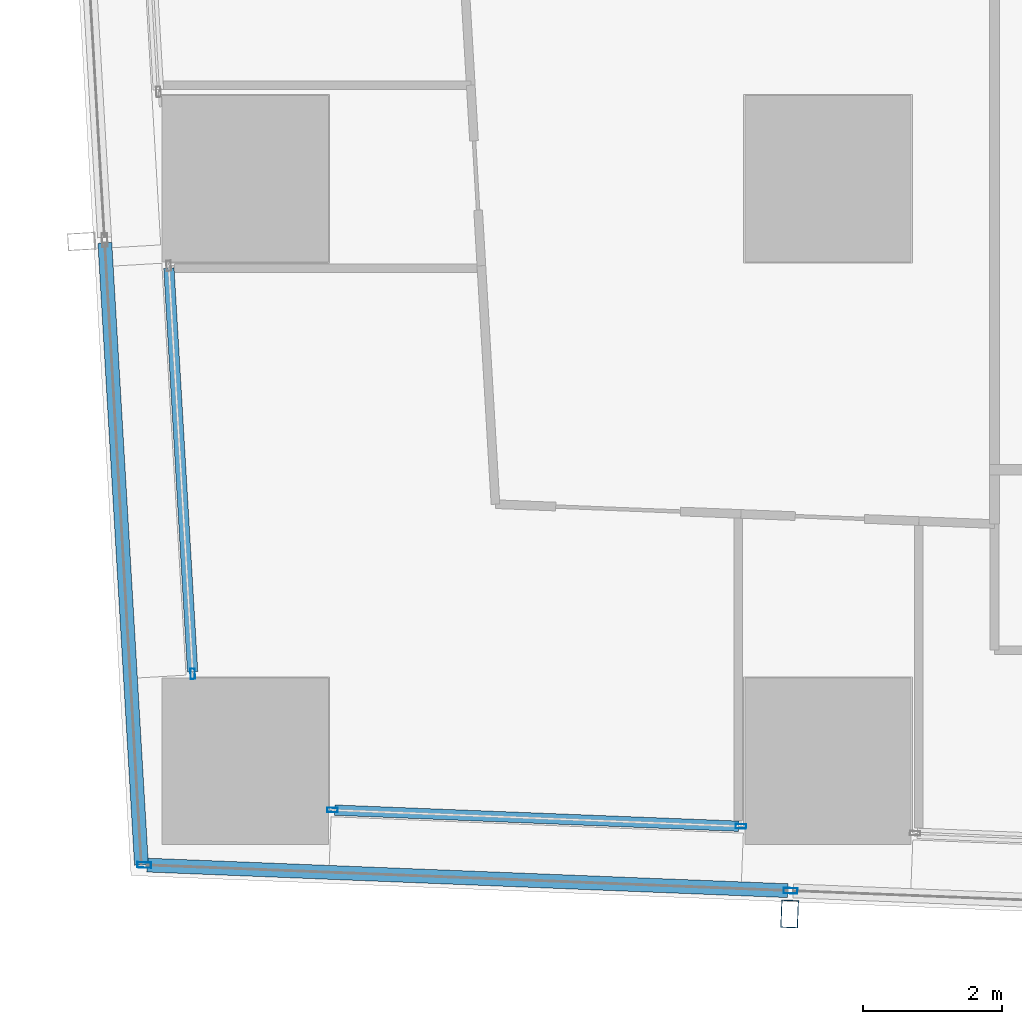
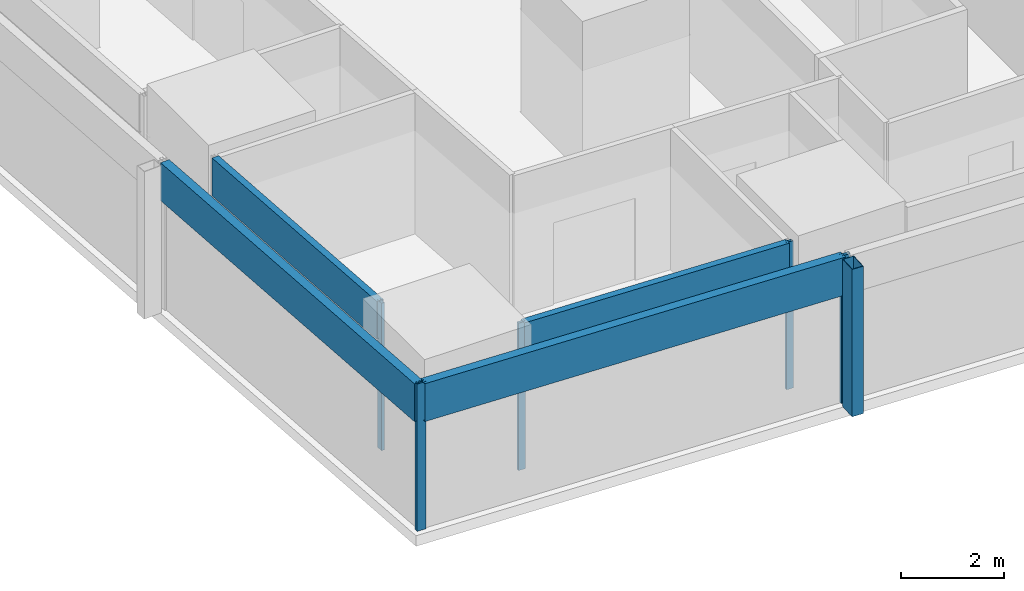
# One storey, part 2 of 37: 10 members, 4 elements without a shape of their own.
"""IFC4 building model written with IfcOpenShell, lengths in metres."""

from ifc_helpers import new_model, si_unit, direction, frame, origin, origin_2d, place, context, subcontext, project, spatial, hollow_rectangle, extrude, material, material_profile, profile_set, type_object, element, aggregate, save


model = new_model("IFC4")

# Units and contexts
model_context = context("Model", 3, precision=1e-05, world=origin(), true_north=direction((0.0, 1.0)))
body_context = subcontext(model_context, "Body", "Model", "MODEL_VIEW")
ifc_project = project(units=[si_unit("LENGTHUNIT", "METRE"), si_unit("AREAUNIT", "SQUARE_METRE"), si_unit("VOLUMEUNIT", "CUBIC_METRE"), si_unit("PLANEANGLEUNIT", "RADIAN"), si_unit("MASSUNIT", "GRAM", prefix="KILO")], contexts=[model_context])

# Site, building, storey
site_placement = place(None, origin())
site = spatial("IfcSite", under=ifc_project, at=site_placement, CompositionType="ELEMENT")
building_placement = place(site_placement, origin())
building = spatial("IfcBuilding", under=site, at=building_placement, Name="Rekha Terrace Tower", CompositionType="ELEMENT")
storey_placement = place(building_placement, frame((0.0, 0.0, 232.699951171875)))
storey = spatial("IfcBuildingStorey", under=building, at=storey_placement, Name="L59", CompositionType="ELEMENT", Elevation=232.699951171875)

# Curtain wall, member
ifc_material_1 = material(Name="Aluminium framing", Category="aluminium")
curtain_wall_type_1 = type_object("IfcCurtainWallType", Name="CW2 double skin outer glazing", PredefinedType="USERDEFINED", material=ifc_material_1)
curtain_wall_1_placement = place(storey_placement, origin())
curtain_wall_1 = element("IfcCurtainWall", 1, at=curtain_wall_1_placement, inside=storey, type_object=curtain_wall_type_1, Name="CW2 double skin outer glazing", ObjectType="DOUBLE SKIN OUTER GLAZING", PredefinedType="USERDEFINED")
ifc_material_2 = material(Name="Steel S355 with fluorocarbon finish", Category="steel")
ifc_material_profile_1 = material_profile(ifc_material_2, hollow_rectangle(XDim=0.25, YDim=0.39990234375, WallThickness=0.012451171875, at=origin_2d()), Name="RHS400x250x12.5")
ifc_profile_set_1 = profile_set([ifc_material_profile_1], Name="Steel S355 with fluorocarbon finish")
member_type_1 = type_object("IfcMemberType", Name="BL1 facade blade RHS 400 x 250", PredefinedType="USERDEFINED", material=ifc_profile_set_1)
member_1_placement = place(storey_placement, frame((16.24658203125, 14.595947265625, 0.0), z_axis=(0.0, 0.0, 1.0), x_axis=(0.999204797763, -0.039871946621, 0.0)))
member_1 = element("IfcMember", 2, at=member_1_placement, type_object=member_type_1, Name="Facade blade", ObjectType="FACADE BLADE", PredefinedType="USERDEFINED", context=body_context, shape_type="SweptSolid", body=[
    extrude(hollow_rectangle(XDim=0.25, YDim=0.39990234375, WallThickness=0.012451171875, at=origin_2d()), origin(), (0.0, 0.0, 1.0), 3.5),
])

# Curtain wall, members
curtain_wall_type_2 = type_object("IfcCurtainWallType", Name="CW1 double skin inner glazing", PredefinedType="USERDEFINED", material=ifc_material_1)
curtain_wall_2_placement = place(storey_placement, origin())
curtain_wall_2 = element("IfcCurtainWall", 3, at=curtain_wall_2_placement, inside=storey, type_object=curtain_wall_type_2, Name="CW1 double skin inner glazing", ObjectType="DOUBLE SKIN INNER GLAZING", PredefinedType="USERDEFINED")
ifc_material_3 = material(Name="Aluminium mullion section", Category="aluminium")
ifc_material_profile_2 = material_profile(ifc_material_3, hollow_rectangle(XDim=0.06494140625, YDim=0.14990234375, WallThickness=0.00390625, at=origin_2d()), Name="AL RHS 65x150")
ifc_profile_set_2 = profile_set([ifc_material_profile_2], Name="Aluminium mullion section")
member_type_2 = type_object("IfcMemberType", Name="CW1 mullion RHS 65 x 150", PredefinedType="MULLION", material=ifc_profile_set_2)
member_2_placement = place(storey_placement, frame((9.65625, 16.094970703125, 0.0), z_axis=(0.0, 0.0, 1.0), x_axis=(0.039872497078, 0.999204775798, 0.0)))
member_2 = element("IfcMember", 4, at=member_2_placement, type_object=member_type_2, Name="CW1 mullion 1", PredefinedType="MULLION", context=body_context, shape_type="SweptSolid", body=[
    extrude(hollow_rectangle(XDim=0.06494140625, YDim=0.14990234375, WallThickness=0.00390625, at=origin_2d()), origin(), (0.0, 0.0, 1.0), 3.5),
])
member_3_placement = place(storey_placement, frame((15.543701171875, 15.85986328125, 0.0), z_axis=(0.0, 0.0, 1.0), x_axis=(0.039872497078, 0.999204775798, 0.0)))
member_3 = element("IfcMember", 5, at=member_3_placement, type_object=member_type_2, Name="CW1 mullion 2", PredefinedType="MULLION", context=body_context, shape_type="SweptSolid", body=[
    extrude(hollow_rectangle(XDim=0.06494140625, YDim=0.14990234375, WallThickness=0.00390625, at=origin_2d()), origin(), (0.0, 0.0, 1.0), 3.5),
])

# Curtain wall, member
curtain_wall_3_placement = place(storey_placement, origin())
curtain_wall_3 = element("IfcCurtainWall", 6, at=curtain_wall_3_placement, inside=storey, type_object=curtain_wall_type_2, Name="CW1 double skin inner glazing", ObjectType="DOUBLE SKIN INNER GLAZING", PredefinedType="USERDEFINED")
member_4_placement = place(storey_placement, frame((7.640625, 18.05810546875, 0.0), z_axis=(0.0, 0.0, 1.0), x_axis=(0.99827183927, 0.058765082499, 0.0)))
member_4 = element("IfcMember", 7, at=member_4_placement, type_object=member_type_2, Name="CW1 mullion 2", PredefinedType="MULLION", context=body_context, shape_type="SweptSolid", body=[
    extrude(hollow_rectangle(XDim=0.06494140625, YDim=0.14990234375, WallThickness=0.00390625, at=origin_2d()), origin(), (0.0, 0.0, 1.0), 3.5),
])

# Member
ifc_material_4 = material(Name="Insulated aluminium spandrel box", Category="aluminium")
ifc_material_profile_3 = material_profile(ifc_material_4, hollow_rectangle(XDim=0.14990234375, YDim=0.89990234375, WallThickness=0.0029296875, at=origin_2d()), Name="AL SPANDREL BOX 150x900")
ifc_profile_set_3 = profile_set([ifc_material_profile_3], Name="Insulated aluminium spandrel box")
member_type_3 = type_object("IfcMemberType", Name="CW1 spandrel transom 150 x 900", PredefinedType="USERDEFINED", material=ifc_profile_set_3)
member_5_placement = place(storey_placement, frame((9.688720703125, 16.093505859375, 3.050048828125), z_axis=(0.999205903752, -0.03984422049, 0.0), x_axis=(0.03984422049, 0.999205903752, 0.0)))
member_5 = element("IfcMember", 8, at=member_5_placement, type_object=member_type_3, Name="CW1 spandrel transom 1", ObjectType="TRANSOM", PredefinedType="USERDEFINED", context=body_context, shape_type="SweptSolid", body=[
    extrude(hollow_rectangle(XDim=0.14990234375, YDim=0.89990234375, WallThickness=0.0029296875, at=origin_2d()), origin(), (0.0, 0.0, 1.0), 5.8271484375),
])

aggregate(curtain_wall_2, [member_2, member_3, member_5])

member_6_placement = place(storey_placement, frame((7.296142578125, 23.90966796875, 3.050048828125), z_axis=(0.058758848186, -0.998272206244, 0.0), x_axis=(0.998272206244, 0.058758848186, 0.0)))
member_6 = element("IfcMember", 9, at=member_6_placement, type_object=member_type_3, Name="CW1 spandrel transom 1", ObjectType="TRANSOM", PredefinedType="USERDEFINED", context=body_context, shape_type="SweptSolid", body=[
    extrude(hollow_rectangle(XDim=0.14990234375, YDim=0.89990234375, WallThickness=0.0029296875, at=origin_2d()), origin(), (0.0, 0.0, 1.0), 5.829345703125),
])

aggregate(curtain_wall_3, [member_4, member_6])

ifc_material_profile_4 = material_profile(ifc_material_3, hollow_rectangle(XDim=0.080078125, YDim=0.199951171875, WallThickness=0.00390625, at=origin_2d()), Name="AL RHS 80x200")
ifc_profile_set_4 = profile_set([ifc_material_profile_4], Name="Aluminium mullion section")
member_type_4 = type_object("IfcMemberType", Name="CW2 mullion RHS 80 x 200", PredefinedType="MULLION", material=ifc_profile_set_4)
member_7_placement = place(storey_placement, frame((6.941162109375, 15.302490234375, 0.0), z_axis=(0.0, 0.0, 1.0), x_axis=(0.039872497044, 0.999204775799, 0.0)))
member_7 = element("IfcMember", 10, at=member_7_placement, type_object=member_type_4, Name="CW2 mullion 1", PredefinedType="MULLION", context=body_context, shape_type="SweptSolid", body=[
    extrude(hollow_rectangle(XDim=0.080078125, YDim=0.199951171875, WallThickness=0.00390625, at=origin_2d()), origin(), (0.0, 0.0, 1.0), 3.5),
])

member_8_placement = place(storey_placement, frame((16.259765625, 14.9306640625, 0.0), z_axis=(0.0, 0.0, 1.0), x_axis=(0.039872497044, 0.999204775799, 0.0)))
member_8 = element("IfcMember", 11, at=member_8_placement, type_object=member_type_4, Name="CW2 mullion 2", PredefinedType="MULLION", context=body_context, shape_type="SweptSolid", body=[
    extrude(hollow_rectangle(XDim=0.080078125, YDim=0.199951171875, WallThickness=0.00390625, at=origin_2d()), origin(), (0.0, 0.0, 1.0), 3.5),
])

ifc_material_profile_5 = material_profile(ifc_material_4, hollow_rectangle(XDim=0.199951171875, YDim=0.89990234375, WallThickness=0.0029296875, at=origin_2d()), Name="AL SPANDREL BOX 200x900")
ifc_profile_set_5 = profile_set([ifc_material_profile_5], Name="Insulated aluminium spandrel box")
member_type_5 = type_object("IfcMemberType", Name="CW2 spandrel transom 200 x 900", PredefinedType="USERDEFINED", material=ifc_profile_set_5)
member_9_placement = place(storey_placement, frame((6.981201171875, 15.301025390625, 3.050048828125), z_axis=(0.999203782278, -0.039897386899, 0.0), x_axis=(0.039897386899, 0.999203782278, 0.0)))
member_9 = element("IfcMember", 12, at=member_9_placement, type_object=member_type_5, Name="CW2 spandrel transom 1", ObjectType="TRANSOM", PredefinedType="USERDEFINED", context=body_context, shape_type="SweptSolid", body=[
    extrude(hollow_rectangle(XDim=0.199951171875, YDim=0.89990234375, WallThickness=0.0029296875, at=origin_2d()), origin(), (0.0, 0.0, 1.0), 9.24609375),
])

aggregate(curtain_wall_1, [member_7, member_8, member_9, member_1])

# Curtain wall, member
curtain_wall_4_placement = place(storey_placement, origin())
curtain_wall_4 = element("IfcCurtainWall", 13, at=curtain_wall_4_placement, inside=storey, type_object=curtain_wall_type_1, Name="CW2 double skin outer glazing", ObjectType="DOUBLE SKIN OUTER GLAZING", PredefinedType="USERDEFINED")
member_10_placement = place(storey_placement, frame((6.373291015625, 24.27197265625, 3.050048828125), z_axis=(0.058757071111, -0.998272310842, 0.0), x_axis=(0.998272310842, 0.058757071111, 0.0)))
member_10 = element("IfcMember", 14, at=member_10_placement, type_object=member_type_5, Name="CW2 spandrel transom 3", ObjectType="TRANSOM", PredefinedType="USERDEFINED", context=body_context, shape_type="SweptSolid", body=[
    extrude(hollow_rectangle(XDim=0.199951171875, YDim=0.89990234375, WallThickness=0.0029296875, at=origin_2d()), origin(), (0.0, 0.0, 1.0), 8.9833984375),
])
aggregate(curtain_wall_4, [member_10])

save(model, "model.ifc")
